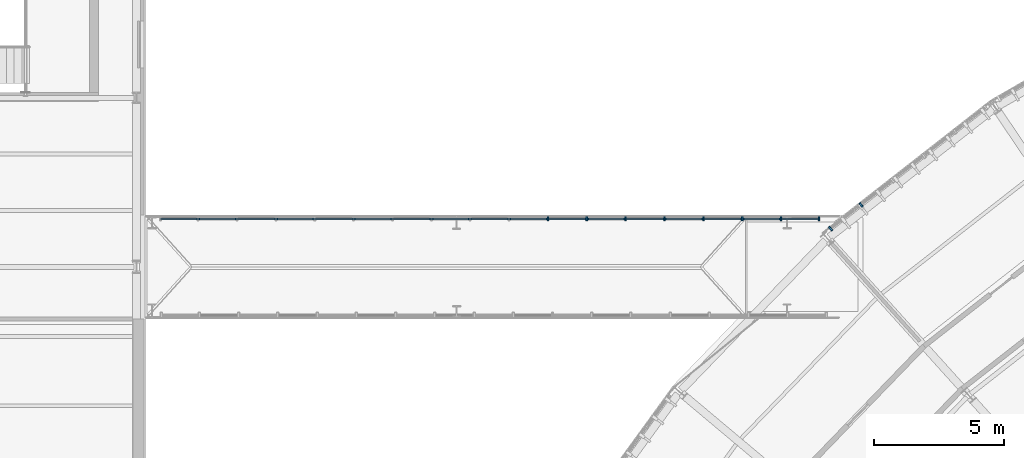
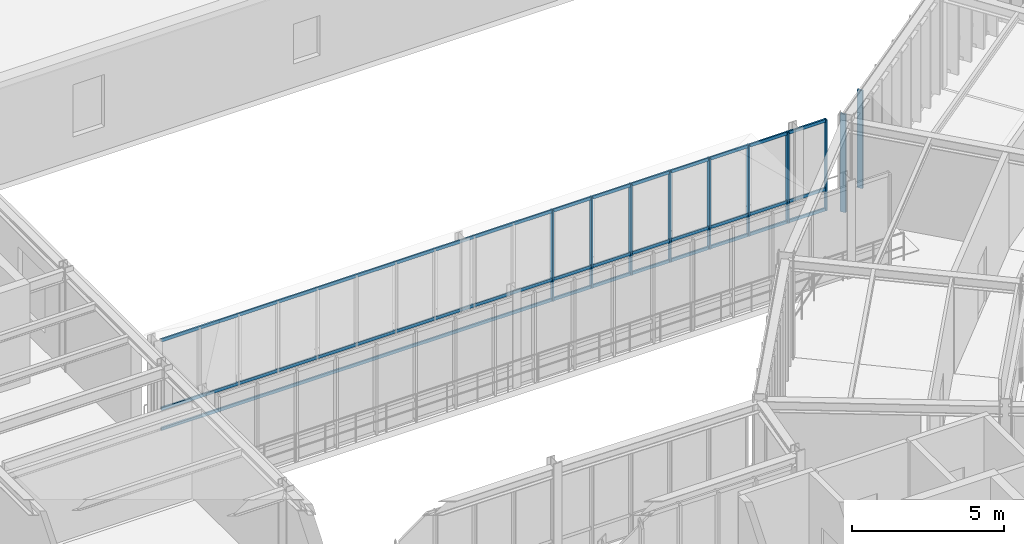
# One storey, part 21 of 57: 13 members, 2 elements without a shape of their own.
"""IFC4 building model written with IfcOpenShell, lengths in metres."""

from ifc_helpers import new_model, si_unit, direction, frame, origin, origin_2d, place, context, subcontext, project, spatial, rectangle, extrude, material, layer, layer_set, material_profile, profile_set, type_object, element, aggregate, save


model = new_model("IFC4")

# Units and contexts
model_context = context("Model", 3, precision=1e-05, world=origin(), true_north=direction((0.0, 1.0)))
body_context = subcontext(model_context, "Body", "Model", "MODEL_VIEW")
ifc_project = project(units=[si_unit("LENGTHUNIT", "METRE"), si_unit("AREAUNIT", "SQUARE_METRE"), si_unit("VOLUMEUNIT", "CUBIC_METRE"), si_unit("PLANEANGLEUNIT", "RADIAN"), si_unit("MASSUNIT", "GRAM", prefix="KILO"), si_unit("THERMODYNAMICTEMPERATUREUNIT", "KELVIN"), si_unit("POWERUNIT", "WATT")], contexts=[model_context])

# Site, building, storey
site_placement = place(None, origin())
site = spatial("IfcSite", under=ifc_project, at=site_placement, CompositionType="ELEMENT")
building_placement = place(site_placement, origin())
building = spatial("IfcBuilding", under=site, at=building_placement, Name="Solvatero Civic Police Headquarters", CompositionType="ELEMENT")
storey_placement = place(building_placement, frame((0.0, 0.0, 9.300048828125)))
storey = spatial("IfcBuildingStorey", under=building, at=storey_placement, Name="L02", CompositionType="ELEMENT", Elevation=9.300048828125)

# Curtain wall, members
ifc_material = material(Name="Anodized Bronze Aluminium", Category="aluminium")
ifc_layer_1 = layer(ifc_material, 0.179931640625)
ifc_layer_set_1 = layer_set([ifc_layer_1], Name="Anodized Bronze Aluminium")
curtain_wall_type_1 = type_object("IfcCurtainWallType", Name="CW-SB-GLZ", PredefinedType="USERDEFINED", material=ifc_layer_set_1)
curtain_wall_1_placement = place(storey_placement, origin())
curtain_wall_1 = element("IfcCurtainWall", 1, at=curtain_wall_1_placement, inside=storey, type_object=curtain_wall_type_1, Name="Curtain Wall CW-R2-L02-SB2-N", ObjectType="UNITISED", PredefinedType="USERDEFINED")
ifc_material_profile_1 = material_profile(ifc_material, rectangle(XDim=0.06005859375, YDim=0.139892578125, at=origin_2d()), Name="ALU MULLION 60x140")
ifc_profile_set_1 = profile_set([ifc_material_profile_1], Name="Anodized Bronze Aluminium")
member_type_1 = type_object("IfcMemberType", Name="CWM-160x65", PredefinedType="MULLION", material=ifc_profile_set_1)
member_1_placement = place(storey_placement, frame((44.01220703125, 70.35009765625, 0.0), z_axis=(0.0, 0.0, 1.0), x_axis=(1.0, 0.0, 0.0)))
member_1 = element("IfcMember", 2, at=member_1_placement, type_object=member_type_1, Name="CW-R2-L02-SB2-N Mullion 11", PredefinedType="MULLION", context=body_context, shape_type="SweptSolid", body=[
    extrude(rectangle(XDim=0.06005859375, YDim=0.139892578125, at=origin_2d()), origin(), (0.0, 0.0, 1.0), 3.64990234375),
])
member_2_placement = place(storey_placement, frame((45.505615234375, 70.35009765625, 0.0), z_axis=(0.0, 0.0, 1.0), x_axis=(1.0, 0.0, 0.0)))
member_2 = element("IfcMember", 3, at=member_2_placement, type_object=member_type_1, Name="CW-R2-L02-SB2-N Mullion 12", PredefinedType="MULLION", context=body_context, shape_type="SweptSolid", body=[
    extrude(rectangle(XDim=0.06005859375, YDim=0.139892578125, at=origin_2d()), origin(), (0.0, 0.0, 1.0), 3.64990234375),
])
member_3_placement = place(storey_placement, frame((46.998779296875, 70.35009765625, 0.0), z_axis=(0.0, 0.0, 1.0), x_axis=(1.0, 0.0, 0.0)))
member_3 = element("IfcMember", 4, at=member_3_placement, type_object=member_type_1, Name="CW-R2-L02-SB2-N Mullion 13", PredefinedType="MULLION", context=body_context, shape_type="SweptSolid", body=[
    extrude(rectangle(XDim=0.06005859375, YDim=0.139892578125, at=origin_2d()), origin(), (0.0, 0.0, 1.0), 3.64990234375),
])
member_4_placement = place(storey_placement, frame((48.4921875, 70.35009765625, 0.0), z_axis=(0.0, 0.0, 1.0), x_axis=(1.0, 0.0, 0.0)))
member_4 = element("IfcMember", 5, at=member_4_placement, type_object=member_type_1, Name="CW-R2-L02-SB2-N Mullion 14", PredefinedType="MULLION", context=body_context, shape_type="SweptSolid", body=[
    extrude(rectangle(XDim=0.06005859375, YDim=0.139892578125, at=origin_2d()), origin(), (0.0, 0.0, 1.0), 3.64990234375),
])
member_5_placement = place(storey_placement, frame((49.985595703125, 70.35009765625, 0.0), z_axis=(0.0, 0.0, 1.0), x_axis=(1.0, 0.0, 0.0)))
member_5 = element("IfcMember", 6, at=member_5_placement, type_object=member_type_1, Name="CW-R2-L02-SB2-N Mullion 15", PredefinedType="MULLION", context=body_context, shape_type="SweptSolid", body=[
    extrude(rectangle(XDim=0.06005859375, YDim=0.139892578125, at=origin_2d()), origin(), (0.0, 0.0, 1.0), 3.64990234375),
])
member_6_placement = place(storey_placement, frame((51.47900390625, 70.35009765625, 0.0), z_axis=(0.0, 0.0, 1.0), x_axis=(1.0, 0.0, 0.0)))
member_6 = element("IfcMember", 7, at=member_6_placement, type_object=member_type_1, Name="CW-R2-L02-SB2-N Mullion 16", PredefinedType="MULLION", context=body_context, shape_type="SweptSolid", body=[
    extrude(rectangle(XDim=0.06005859375, YDim=0.139892578125, at=origin_2d()), origin(), (0.0, 0.0, 1.0), 3.64990234375),
])
member_7_placement = place(storey_placement, frame((52.97216796875, 70.35009765625, 0.0), z_axis=(0.0, 0.0, 1.0), x_axis=(1.0, 0.0, 0.0)))
member_7 = element("IfcMember", 8, at=member_7_placement, type_object=member_type_1, Name="CW-R2-L02-SB2-N Mullion 17", PredefinedType="MULLION", context=body_context, shape_type="SweptSolid", body=[
    extrude(rectangle(XDim=0.06005859375, YDim=0.139892578125, at=origin_2d()), origin(), (0.0, 0.0, 1.0), 3.64990234375),
])
member_8_placement = place(storey_placement, frame((54.425537109375, 70.35009765625, 0.0), z_axis=(0.0, 0.0, 1.0), x_axis=(1.0, 0.0, 0.0)))
member_8 = element("IfcMember", 9, at=member_8_placement, type_object=member_type_1, Name="CW-R2-L02-SB2-N Mullion 18", PredefinedType="MULLION", context=body_context, shape_type="SweptSolid", body=[
    extrude(rectangle(XDim=0.06005859375, YDim=0.139892578125, at=origin_2d()), origin(), (0.0, 0.0, 1.0), 3.64990234375),
])

ifc_layer_2 = layer(ifc_material, 0.179931640625)
ifc_layer_set_2 = layer_set([ifc_layer_2], Name="Anodized Bronze Aluminium")
curtain_wall_type_2 = type_object("IfcCurtainWallType", Name="CW-ARC-OUT", PredefinedType="USERDEFINED", material=ifc_layer_set_2)
curtain_wall_2_placement = place(storey_placement, origin())
curtain_wall_2 = element("IfcCurtainWall", 10, at=curtain_wall_2_placement, inside=storey, type_object=curtain_wall_type_2, Name="Curtain Wall CW-R2-L02-ARC-OUT-B06", ObjectType="UNITISED", PredefinedType="USERDEFINED")
ifc_material_profile_2 = material_profile(ifc_material, rectangle(XDim=0.070068359375, YDim=0.199951171875, at=origin_2d()), Name="ALU MULLION 70x200")
ifc_profile_set_2 = profile_set([ifc_material_profile_2], Name="Anodized Bronze Aluminium")
member_type_2 = type_object("IfcMemberType", Name="CWM-220x80", PredefinedType="MULLION", material=ifc_profile_set_2)
member_9_placement = place(storey_placement, frame((56.04638671875, 70.885009765625, 0.0), z_axis=(0.0, 0.0, 1.0), x_axis=(-0.788021498807, -0.61564772185, 0.0)))
member_9 = element("IfcMember", 11, at=member_9_placement, type_object=member_type_2, Name="CW-R2-L02-ARC-OUT-B06 Mullion 5", PredefinedType="MULLION", context=body_context, shape_type="SweptSolid", body=[
    extrude(rectangle(XDim=0.070068359375, YDim=0.199951171875, at=origin_2d()), origin(), (0.0, 0.0, 1.0), 3.93994140625),
])
member_10_placement = place(storey_placement, frame((54.874267578125, 69.969482421875, 0.0), z_axis=(0.0, 0.0, 1.0), x_axis=(-0.788021498807, -0.61564772185, 0.0)))
member_10 = element("IfcMember", 12, at=member_10_placement, type_object=member_type_2, Name="CW-R2-L02-ARC-OUT-B06 Mullion 6", PredefinedType="MULLION", context=body_context, shape_type="SweptSolid", body=[
    extrude(rectangle(XDim=0.070068359375, YDim=0.199951171875, at=origin_2d()), origin(), (0.0, 0.0, 1.0), 3.93994140625),
])
aggregate(curtain_wall_2, [member_9, member_10])

# Member
ifc_material_profile_3 = material_profile(ifc_material, rectangle(XDim=0.06005859375, YDim=0.125, at=origin_2d()), Name="ALU TRANSOM 60x125")
ifc_profile_set_3 = profile_set([ifc_material_profile_3], Name="Anodized Bronze Aluminium")
member_type_3 = type_object("IfcMemberType", Name="CWT-160x65", PredefinedType="USERDEFINED", material=ifc_profile_set_3)
member_11_placement = place(storey_placement, frame((29.12890625, 70.35009765625, 0.0400390625), z_axis=(1.0, 0.0, 0.0), x_axis=(0.0, 1.0, 0.0)))
member_11 = element("IfcMember", 13, at=member_11_placement, type_object=member_type_3, Name="CW-R2-L02-SB2-N Transom 1", ObjectType="TRANSOM", PredefinedType="USERDEFINED", context=body_context, shape_type="SweptSolid", body=[
    extrude(rectangle(XDim=0.06005859375, YDim=0.125, at=origin_2d()), origin(), (0.0, 0.0, 1.0), 25.28662109375),
])

member_12_placement = place(storey_placement, frame((29.12890625, 70.35009765625, 0.849853515625), z_axis=(1.0, 0.0, 0.0), x_axis=(0.0, 1.0, 0.0)))
member_12 = element("IfcMember", 14, at=member_12_placement, type_object=member_type_3, Name="CW-R2-L02-SB2-N Transom 2", ObjectType="TRANSOM", PredefinedType="USERDEFINED", context=body_context, shape_type="SweptSolid", body=[
    extrude(rectangle(XDim=0.06005859375, YDim=0.125, at=origin_2d()), origin(), (0.0, 0.0, 1.0), 25.28662109375),
])

member_13_placement = place(storey_placement, frame((29.12890625, 70.35009765625, 3.60986328125), z_axis=(1.0, 0.0, 0.0), x_axis=(0.0, 1.0, 0.0)))
member_13 = element("IfcMember", 15, at=member_13_placement, type_object=member_type_3, Name="CW-R2-L02-SB2-N Transom 3", ObjectType="TRANSOM", PredefinedType="USERDEFINED", context=body_context, shape_type="SweptSolid", body=[
    extrude(rectangle(XDim=0.06005859375, YDim=0.125, at=origin_2d()), origin(), (0.0, 0.0, 1.0), 25.28662109375),
])

aggregate(curtain_wall_1, [member_1, member_2, member_3, member_4, member_5, member_6, member_7, member_8, member_11, member_12, member_13])

save(model, "model.ifc")
